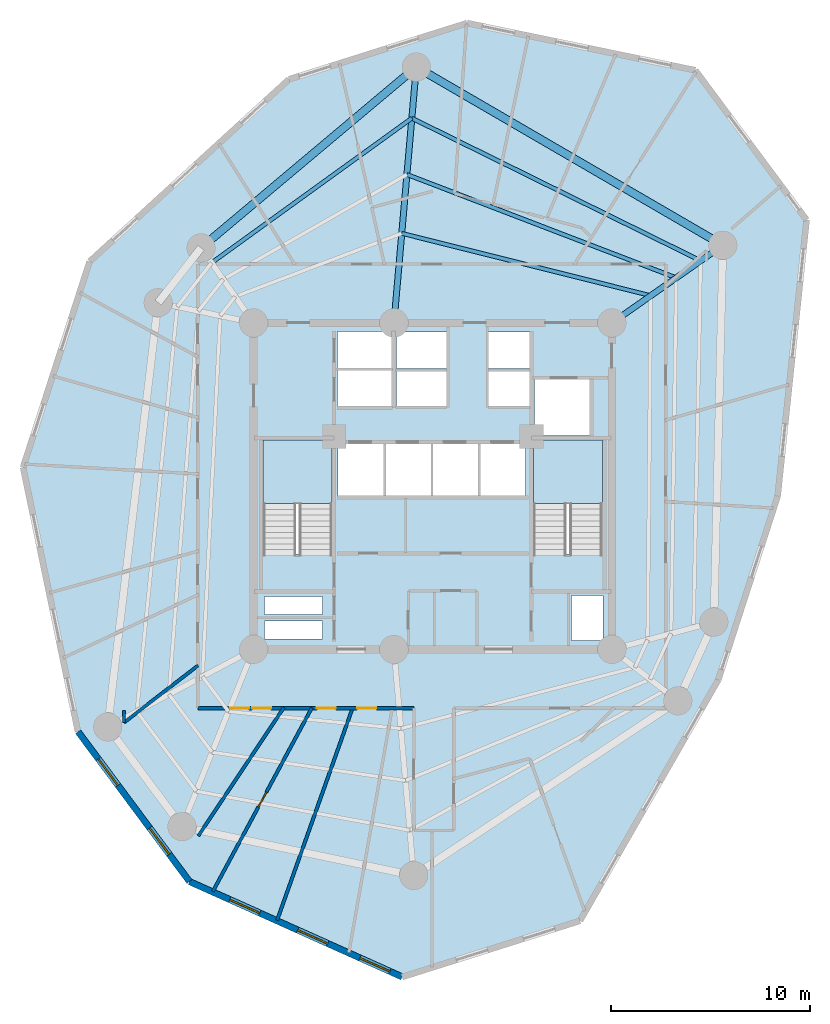
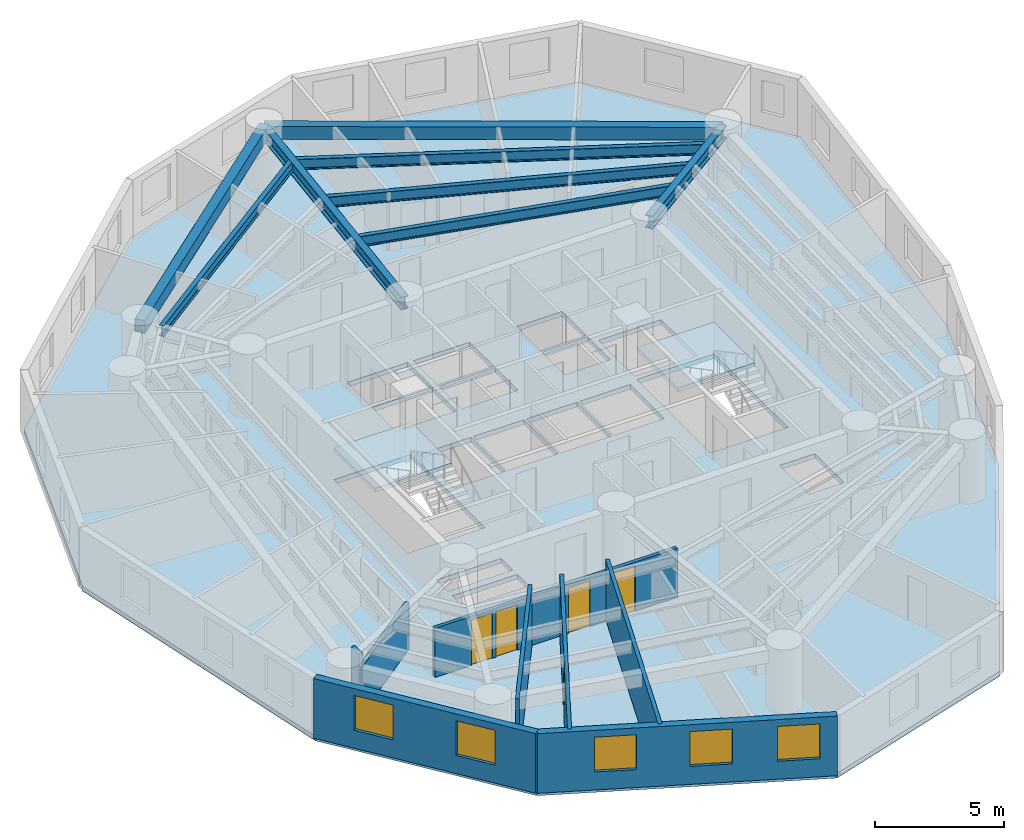
# One storey, part 2 of 8: 8 beams, 8 walls, 5 doors, 5 windows, 3 slabs, 10 openings, 2 elements without a shape of their own.
"""IFC4 building model written with IfcOpenShell, lengths in metres."""

from ifc_helpers import new_model, si_unit, direction, frame, frame_2d, origin, origin_with_axes, origin_2d, place, context, subcontext, project, spatial, polyline, rectangle, i_section, outline, extrude, source, transform, mapped, material, layer, layer_set, material_profile, profile_set, type_object, element, fill, aggregate, save


model = new_model("IFC4")

# Units and contexts
model_context = context("Model", 3, precision=1e-05, world=origin(), true_north=direction((0.0, 1.0)))
body_context = subcontext(model_context, "Body", "Model", "MODEL_VIEW")
ifc_project = project(units=[si_unit("LENGTHUNIT", "METRE"), si_unit("AREAUNIT", "SQUARE_METRE"), si_unit("VOLUMEUNIT", "CUBIC_METRE"), si_unit("PLANEANGLEUNIT", "RADIAN"), si_unit("MASSUNIT", "GRAM", prefix="KILO")], contexts=[model_context])

# Site, building, storey
site_placement = place(None, origin())
site = spatial("IfcSite", under=ifc_project, at=site_placement, CompositionType="ELEMENT")
building_placement = place(site_placement, origin())
building = spatial("IfcBuilding", under=site, at=building_placement, Name="Karkom Vertical University and Central Library", CompositionType="ELEMENT")
storey_placement = place(building_placement, frame((0.0, 0.0, 141.949951171875)))
storey = spatial("IfcBuildingStorey", under=building, at=storey_placement, Name="L40", CompositionType="ELEMENT", Elevation=141.949951171875)

# Beams
ifc_material_1 = material(Name="Precast concrete C45/55", Category="concrete")
ifc_material_profile_1 = material_profile(ifc_material_1, rectangle(XDim=0.39990234375, YDim=0.60009765625, at=origin_2d()), Name="SPB-400x600")
ifc_profile_set_1 = profile_set([ifc_material_profile_1], Name="Precast concrete C45/55")
beam_type_1 = type_object("IfcBeamType", Name="STR-BM-SP-1", PredefinedType="SPANDREL", material=ifc_profile_set_1)
shared_shape_1 = source(origin_with_axes(), body_context, "Body", "SweptSolid", [
    extrude(rectangle(XDim=0.39990234375, YDim=0.60009765625, at=origin_2d()), origin(), (0.0, 0.0, 1.0), 17.808837890625),
])
beam_1_placement = place(storey_placement, frame((43.070068359375, 38.60009765625, 2.525146484375), z_axis=(-0.864512866362, 0.502610688202, 0.0), x_axis=(-0.502610688202, -0.864512866362, 0.0)))
element("IfcBeam", 1, at=beam_1_placement, inside=storey, type_object=beam_type_1, Name="Level 40 Perimeter Spandrel Beam 02", PredefinedType="SPANDREL", context=body_context, shape_type="MappedRepresentation", body=[
    mapped(shared_shape_1, transform((0.0, 0.0, 0.0), scale=1.0)),
])
shared_shape_2 = source(origin_with_axes(), body_context, "Body", "SweptSolid", [
    extrude(rectangle(XDim=0.39990234375, YDim=0.60009765625, at=origin_2d()), origin(), (0.0, 0.0, 1.0), 14.120849609375),
])
beam_2_placement = place(storey_placement, frame((27.674072265625, 47.551025390625, 2.525146484375), z_axis=(-0.765672847866, -0.643230199883, 0.0), x_axis=(0.643230199883, -0.765672847866, 0.0)))
element("IfcBeam", 2, at=beam_2_placement, inside=storey, type_object=beam_type_1, Name="Level 40 Perimeter Spandrel Beam 03", PredefinedType="SPANDREL", context=body_context, shape_type="MappedRepresentation", body=[
    mapped(shared_shape_2, transform((0.0, 0.0, 0.0), scale=1.0)),
])
ifc_material_2 = material(Name="Steel S355", Category="steel")
ifc_material_profile_2 = material_profile(ifc_material_2, i_section(OverallWidth=0.199951171875, OverallDepth=0.5, WebThickness=0.01025390625, FlangeThickness=0.01611328125, FilletRadius=0.02099609375, at=origin_2d()), Name="IPE 500")
ifc_profile_set_2 = profile_set([ifc_material_profile_2], Name="Steel S355")
beam_type_2 = type_object("IfcBeamType", Name="STR-BM-SB-IPE500", PredefinedType="BEAM", material=ifc_profile_set_2)
shared_shape_3 = source(origin_with_axes(), body_context, "Body", "SweptSolid", [
    extrude(i_section(OverallWidth=0.199951171875, OverallDepth=0.5, WebThickness=0.01025390625, FlangeThickness=0.01611328125, FilletRadius=0.02099609375, at=origin_2d()), origin(), (0.0, 0.0, 1.0), 12.892578125),
])
beam_3_placement = place(storey_placement, frame((39.449462890625, 36.06494140625, 2.574951171875), z_axis=(-0.970023194321, 0.243012350468, 0.0), x_axis=(-0.243012350468, -0.970023194321, 0.0)))
element("IfcBeam", 3, at=beam_3_placement, inside=storey, type_object=beam_type_2, Name="Level 40 Secondary Composite Floor Beam 1.02", PredefinedType="BEAM", context=body_context, shape_type="MappedRepresentation", body=[
    mapped(shared_shape_3, transform((0.0, 0.0, 0.0), scale=1.0)),
])
shared_shape_4 = source(origin_with_axes(), body_context, "Body", "SweptSolid", [
    extrude(i_section(OverallWidth=0.199951171875, OverallDepth=0.5, WebThickness=0.01025390625, FlangeThickness=0.01611328125, FilletRadius=0.02099609375, at=origin_2d()), origin(), (0.0, 0.0, 1.0), 14.49072265625),
])
beam_4_placement = place(storey_placement, frame((40.730712890625, 36.9619140625, 2.574951171875), z_axis=(-0.93361673171, 0.35827335691, 0.0), x_axis=(-0.35827335691, -0.93361673171, 0.0)))
element("IfcBeam", 4, at=beam_4_placement, inside=storey, type_object=beam_type_2, Name="Level 40 Secondary Composite Floor Beam 2.02", PredefinedType="BEAM", context=body_context, shape_type="MappedRepresentation", body=[
    mapped(shared_shape_4, transform((0.0, 0.0, 0.0), scale=1.0)),
])
shared_shape_5 = source(origin_with_axes(), body_context, "Body", "SweptSolid", [
    extrude(i_section(OverallWidth=0.199951171875, OverallDepth=0.5, WebThickness=0.01025390625, FlangeThickness=0.01611328125, FilletRadius=0.02099609375, at=origin_2d()), origin(), (0.0, 0.0, 1.0), 16.177978515625),
])
beam_5_placement = place(storey_placement, frame((41.9560546875, 37.820068359375, 2.574951171875), z_axis=(-0.896709262653, 0.442620038263, 0.0), x_axis=(-0.442620038263, -0.896709262653, 0.0)))
element("IfcBeam", 5, at=beam_5_placement, inside=storey, type_object=beam_type_2, Name="Level 40 Secondary Composite Floor Beam 3.02", PredefinedType="BEAM", context=body_context, shape_type="MappedRepresentation", body=[
    mapped(shared_shape_5, transform((0.0, 0.0, 0.0), scale=1.0)),
])
shared_shape_6 = source(origin_with_axes(), body_context, "Body", "SweptSolid", [
    extrude(i_section(OverallWidth=0.199951171875, OverallDepth=0.5, WebThickness=0.01025390625, FlangeThickness=0.01611328125, FilletRadius=0.02099609375, at=origin_2d()), origin(), (0.0, 0.0, 1.0), 12.409423828125),
])
beam_6_placement = place(storey_placement, frame((27.44921875, 44.980712890625, 2.574951171875), z_axis=(-0.810636686292, -0.585549453793, 0.0), x_axis=(0.585549453793, -0.810636686292, 0.0)))
element("IfcBeam", 6, at=beam_6_placement, inside=storey, type_object=beam_type_2, Name="Level 40 Secondary Composite Floor Beam 3.03", PredefinedType="BEAM", context=body_context, shape_type="MappedRepresentation", body=[
    mapped(shared_shape_6, transform((0.0, 0.0, 0.0), scale=1.0)),
])
ifc_material_profile_3 = material_profile(ifc_material_2, i_section(OverallWidth=0.300048828125, OverallDepth=0.60009765625, WebThickness=0.015380859375, FlangeThickness=0.030029296875, FilletRadius=0.027099609375, at=origin_2d()), Name="HE 600 B")
ifc_profile_set_3 = profile_set([ifc_material_profile_3], Name="Steel S355")
beam_type_3 = type_object("IfcBeamType", Name="STR-BM-SB-HE600", PredefinedType="USERDEFINED", material=ifc_profile_set_3)
shared_shape_7 = source(origin_with_axes(), body_context, "Body", "SweptSolid", [
    extrude(i_section(OverallWidth=0.300048828125, OverallDepth=0.60009765625, WebThickness=0.015380859375, FlangeThickness=0.030029296875, FilletRadius=0.027099609375, at=origin_2d()), origin(), (0.0, 0.0, 1.0), 6.7998046875),
])
beam_7_placement = place(storey_placement, frame((37.5, 34.699951171875, 2.525146484375), z_axis=(0.819156008334, 0.573570775066, 0.0), x_axis=(-0.573570775066, 0.819156008334, 0.0)))
element("IfcBeam", 7, at=beam_7_placement, inside=storey, type_object=beam_type_3, Name="Level 40 Radial Frame Girder 02", ObjectType="GIRDER", PredefinedType="USERDEFINED", context=body_context, shape_type="MappedRepresentation", body=[
    mapped(shared_shape_7, transform((0.0, 0.0, 0.0), scale=1.0)),
])
shared_shape_8 = source(origin_with_axes(), body_context, "Body", "SweptSolid", [
    extrude(i_section(OverallWidth=0.300048828125, OverallDepth=0.60009765625, WebThickness=0.015380859375, FlangeThickness=0.030029296875, FilletRadius=0.027099609375, at=origin_2d()), origin(), (0.0, 0.0, 1.0), 12.900146484375),
])
beam_8_placement = place(storey_placement, frame((26.550048828125, 34.699951171875, 2.525146484375), z_axis=(0.087132673751, 0.996196716098, 0.0), x_axis=(-0.996196716098, 0.087132673751, 0.0)))
element("IfcBeam", 8, at=beam_8_placement, inside=storey, type_object=beam_type_3, Name="Level 40 Radial Frame Girder 03", ObjectType="GIRDER", PredefinedType="USERDEFINED", context=body_context, shape_type="MappedRepresentation", body=[
    mapped(shared_shape_8, transform((0.0, 0.0, 0.0), scale=1.0)),
])

# Stair, slab
ifc_material_3 = material(Name="Concrete C45/55", Category="concrete")
stair_type = type_object("IfcStairType", Name="INT-STR-ST-MAIN", PredefinedType="HALF_TURN_STAIR", material=ifc_material_3)
stair_1_placement = place(storey_placement, origin())
stair_1 = element("IfcStair", 9, at=stair_1_placement, inside=storey, type_object=stair_type, Name="Level 40 Tower Protected Exit Stair ST-1", PredefinedType="HALF_TURN_STAIR")
ifc_layer_1 = layer(ifc_material_3, 0.199951171875)
ifc_layer_set_1 = layer_set([ifc_layer_1], Name="Concrete C45/55")
slab_type_1 = type_object("IfcSlabType", Name="INT-SLB-LANDING", PredefinedType="LANDING", material=ifc_layer_set_1)
slab_1_placement = place(storey_placement, frame((0.0, 0.0, 1.324951171875)))
slab_1 = element("IfcSlab", 10, at=slab_1_placement, type_object=slab_type_1, Name="ST-1 landing 1", PredefinedType="LANDING", context=body_context, shape_type="SweptSolid", body=[
    extrude(outline(polyline([(23.43994140625, 25.6298828125), (23.43994140625, 28.820068359375), (19.97998046875, 28.820068359375), (19.97998046875, 25.6298828125), (23.43994140625, 25.6298828125)])), origin(), (0.0, 0.0, 1.0), 0.2001953125),
])
aggregate(stair_1, [slab_1])

stair_2_placement = place(storey_placement, origin())
stair_2 = element("IfcStair", 11, at=stair_2_placement, inside=storey, type_object=stair_type, Name="Level 40 Tower Protected Exit Stair ST-2", PredefinedType="HALF_TURN_STAIR")
slab_2_placement = place(storey_placement, frame((0.0, 0.0, 1.324951171875)))
slab_2 = element("IfcSlab", 12, at=slab_2_placement, type_object=slab_type_1, Name="ST-2 landing 1", PredefinedType="LANDING", context=body_context, shape_type="SweptSolid", body=[
    extrude(outline(polyline([(37.02001953125, 25.6298828125), (37.02001953125, 28.820068359375), (33.56005859375, 28.820068359375), (33.56005859375, 25.6298828125), (37.02001953125, 25.6298828125)])), origin(), (0.0, 0.0, 1.0), 0.2001953125),
])
aggregate(stair_2, [slab_2])

# Slab
ifc_layer_2 = layer(ifc_material_3, 0.22509765625)
ifc_layer_set_2 = layer_set([ifc_layer_2], Name="Concrete C45/55")
slab_type_2 = type_object("IfcSlabType", Name="STR-SLB-FLR-225", PredefinedType="FLOOR", material=ifc_layer_set_2)
slab_3_placement = place(storey_placement, frame((0.0, 0.0, -0.224853515625)))
element("IfcSlab", 13, at=slab_3_placement, inside=storey, type_object=slab_type_2, Name="Level 40 Tower Structural Floor Slab", PredefinedType="FLOOR", context=body_context, shape_type="SweptSolid", body=[
    extrude(outline(polyline([(11.26806640625, 37.779541015625), (7.926513671875, 27.44580078125), (10.68310546875, 14.16796875), (16.28271484375, 6.6376953125), (26.959716796875, 1.85009765625), (35.888916015625, 4.669677734375), (42.8359375, 16.7685546875), (45.8193359375, 25.994873046875), (47.272216796875, 39.870361328125), (41.6845703125, 47.384521484375), (30.225830078125, 49.7548828125), (21.27734375, 46.929443359375), (11.26806640625, 37.779541015625)]), holes=[polyline([(19.97998046875, 23.0849609375), (23.43994140625, 23.0849609375), (23.43994140625, 28.820068359375), (19.97998046875, 28.820068359375), (19.97998046875, 23.0849609375)]), polyline([(33.56005859375, 23.0849609375), (37.02001953125, 23.0849609375), (37.02001953125, 28.820068359375), (33.56005859375, 28.820068359375), (33.56005859375, 23.0849609375)]), polyline([(23.75, 26.0), (26.030029296875, 26.0), (26.030029296875, 28.64990234375), (23.75, 28.64990234375), (23.75, 26.0)]), polyline([(26.1298828125, 26.0), (28.409912109375, 26.0), (28.409912109375, 28.64990234375), (26.1298828125, 28.64990234375), (26.1298828125, 26.0)]), polyline([(28.510009765625, 26.0), (30.7900390625, 26.0), (30.7900390625, 28.64990234375), (28.510009765625, 28.64990234375), (28.510009765625, 26.0)]), polyline([(30.889892578125, 26.0), (33.169921875, 26.0), (33.169921875, 28.64990234375), (30.889892578125, 28.64990234375), (30.889892578125, 26.0)]), polyline([(26.679931640625, 30.5), (29.199951171875, 30.5), (29.199951171875, 32.25), (26.679931640625, 32.25), (26.679931640625, 30.5)]), polyline([(26.679931640625, 32.39990234375), (29.199951171875, 32.39990234375), (29.199951171875, 34.25), (26.679931640625, 34.25), (26.679931640625, 32.39990234375)]), polyline([(31.300048828125, 30.5), (33.35009765625, 30.5), (33.35009765625, 32.25), (31.300048828125, 32.25), (31.300048828125, 30.5)]), polyline([(31.300048828125, 32.39990234375), (33.35009765625, 32.39990234375), (33.35009765625, 34.25), (31.300048828125, 34.25), (31.300048828125, 32.39990234375)]), polyline([(23.719970703125, 30.47998046875), (26.429931640625, 30.47998046875), (26.429931640625, 32.320068359375), (23.719970703125, 32.320068359375), (23.719970703125, 30.47998046875)]), polyline([(23.719970703125, 32.419921875), (26.429931640625, 32.419921875), (26.429931640625, 34.260009765625), (23.719970703125, 34.260009765625), (23.719970703125, 32.419921875)]), polyline([(33.60009765625, 29.050048828125), (36.39990234375, 29.050048828125), (36.39990234375, 31.85009765625), (33.60009765625, 31.85009765625), (33.60009765625, 29.050048828125)]), polyline([(20.050048828125, 18.820068359375), (22.949951171875, 18.820068359375), (22.949951171875, 19.719970703125), (20.050048828125, 19.719970703125), (20.050048828125, 18.820068359375)]), polyline([(20.050048828125, 20.06005859375), (22.949951171875, 20.06005859375), (22.949951171875, 20.9599609375), (20.050048828125, 20.9599609375), (20.050048828125, 20.06005859375)]), polyline([(35.4599609375, 18.760009765625), (37.0400390625, 18.760009765625), (37.0400390625, 21.010009765625), (35.4599609375, 21.010009765625), (35.4599609375, 18.760009765625)])]), origin(), (0.0, 0.0, 1.0), 0.224853515625),
])

# Wall, openings, windows
ifc_material_4 = material(Name="Brick-faced precast concrete C45/55", Category="masonry")
ifc_layer_3 = layer(ifc_material_4, 0.320068359375)
ifc_layer_set_3 = layer_set([ifc_layer_3], Name="Brick-faced precast concrete C45/55")
wall_type_1 = type_object("IfcWallType", Name="ENV-WL-BRK-320", PredefinedType="SOLIDWALL", material=ifc_layer_set_3)
wall_1_placement = place(storey_placement, frame((10.68310546875, 14.16796875, 0.0), z_axis=(0.0, 0.0, 1.0), x_axis=(0.596714794235, -0.80245339699, 0.0)))
wall_1 = element("IfcWall", 14, at=wall_1_placement, inside=storey, type_object=wall_type_1, Name="Level 40 Brick-Faced Precast Facade Wall 03", PredefinedType="SOLIDWALL", context=body_context, shape_type="SweptSolid", body=[
    extrude(rectangle(XDim=9.384033203125, YDim=0.320068359375, at=frame_2d((4.69189453125, 0.0))), origin(), (0.0, 0.0, 1.0), 2.824951171875),
])
opening_1_placement = place(wall_1_placement, frame((1.7109375, 0.0, 0.85009765625)))
opening_1 = element("IfcOpeningElement", 15, at=opening_1_placement, cuts=wall_1, Name="Opening WN-06", PredefinedType="OPENING", context=body_context, shape_type="SweptSolid", body=[
    extrude(rectangle(XDim=1.64990234375, YDim=1.64990234375, at=frame_2d((0.824951171875, 0.824951171875))), frame((0.0, 0.169921875, 0.0), z_axis=(0.0, -1.0, 0.0), x_axis=(1.0, 0.0, 0.0)), (0.0, 0.0, 1.0), 0.340087890625),
])
opening_2_placement = place(wall_1_placement, frame((6.02294921875, 0.0, 0.85009765625)))
opening_2 = element("IfcOpeningElement", 16, at=opening_2_placement, cuts=wall_1, Name="Opening WN-06", PredefinedType="OPENING", context=body_context, shape_type="SweptSolid", body=[
    extrude(rectangle(XDim=1.64990234375, YDim=1.64990234375, at=frame_2d((0.824951171875, 0.824951171875))), frame((0.0, 0.169921875, 0.0), z_axis=(0.0, -1.0, 0.0), x_axis=(1.0, 0.0, 0.0)), (0.0, 0.0, 1.0), 0.340087890625),
])
ifc_material_5 = material(Name="Aluminium thermal-break frame with solar-control IGU", Category="aluminium")
window_type = type_object("IfcWindowType", Name="ENV-WIN-WN-06", PartitioningType="SINGLE_PANEL", PredefinedType="WINDOW", material=ifc_material_5)
shared_shape_9 = source(origin_with_axes(), body_context, "Body", "SweptSolid", [
    extrude(rectangle(XDim=1.64990234375, YDim=1.64990234375, at=frame_2d((0.824951171875, 0.824951171875))), frame((0.0, 0.030029296875, 0.0), z_axis=(0.0, -1.0, 0.0), x_axis=(1.0, 0.0, 0.0)), (0.0, 0.0, 1.0), 0.06005859375),
])
window_1_placement = place(opening_1_placement, origin())
window_1 = element("IfcWindow", 17, at=window_1_placement, inside=storey, type_object=window_type, Name="Level 40 Punched Window 3.1", OverallHeight=1.64990234375, OverallWidth=1.64990234375, PartitioningType="SINGLE_PANEL", PredefinedType="WINDOW", context=body_context, shape_type="MappedRepresentation", body=[
    mapped(shared_shape_9, transform((0.0, 0.0, 0.0), scale=1.0)),
])
fill(opening_1, window_1)
window_2_placement = place(opening_2_placement, origin())
window_2 = element("IfcWindow", 18, at=window_2_placement, inside=storey, type_object=window_type, Name="Level 40 Punched Window 3.2", OverallHeight=1.64990234375, OverallWidth=1.64990234375, PartitioningType="SINGLE_PANEL", PredefinedType="WINDOW", context=body_context, shape_type="MappedRepresentation", body=[
    mapped(shared_shape_9, transform((0.0, 0.0, 0.0), scale=1.0)),
])
fill(opening_2, window_2)

wall_2_placement = place(storey_placement, frame((16.28271484375, 6.6376953125, 0.0), z_axis=(0.0, 0.0, 1.0), x_axis=(0.912466082441, -0.409152353524, 0.0)))
wall_2 = element("IfcWall", 19, at=wall_2_placement, inside=storey, type_object=wall_type_1, Name="Level 40 Brick-Faced Precast Facade Wall 04", PredefinedType="SOLIDWALL", context=body_context, shape_type="SweptSolid", body=[
    extrude(rectangle(XDim=11.701171875, YDim=0.320068359375, at=frame_2d((5.8505859375, 0.0))), origin(), (0.0, 0.0, 1.0), 2.824951171875),
])
opening_3_placement = place(wall_2_placement, frame((2.214599609375, 0.0, 0.85009765625)))
opening_3 = element("IfcOpeningElement", 20, at=opening_3_placement, cuts=wall_2, Name="Opening WN-06", PredefinedType="OPENING", context=body_context, shape_type="SweptSolid", body=[
    extrude(rectangle(XDim=1.64990234375, YDim=1.64990234375, at=frame_2d((0.824951171875, 0.824951171875))), frame((0.0, 0.169921875, 0.0), z_axis=(0.0, -1.0, 0.0), x_axis=(1.0, 0.0, 0.0)), (0.0, 0.0, 1.0), 0.340087890625),
])
opening_4_placement = place(wall_2_placement, frame((5.9541015625, 0.0, 0.85009765625)))
opening_4 = element("IfcOpeningElement", 21, at=opening_4_placement, cuts=wall_2, Name="Opening WN-06", PredefinedType="OPENING", context=body_context, shape_type="SweptSolid", body=[
    extrude(rectangle(XDim=1.64990234375, YDim=1.64990234375, at=frame_2d((0.824951171875, 0.824951171875))), frame((0.0, 0.169921875, 0.0), z_axis=(0.0, -1.0, 0.0), x_axis=(1.0, 0.0, 0.0)), (0.0, 0.0, 1.0), 0.340087890625),
])
opening_5_placement = place(wall_2_placement, frame((9.37158203125, 0.0, 0.85009765625)))
opening_5 = element("IfcOpeningElement", 22, at=opening_5_placement, cuts=wall_2, Name="Opening WN-06", PredefinedType="OPENING", context=body_context, shape_type="SweptSolid", body=[
    extrude(rectangle(XDim=1.64990234375, YDim=1.64990234375, at=frame_2d((0.824951171875, 0.824951171875))), frame((0.0, 0.169921875, 0.0), z_axis=(0.0, -1.0, 0.0), x_axis=(1.0, 0.0, 0.0)), (0.0, 0.0, 1.0), 0.340087890625),
])
window_3_placement = place(opening_3_placement, origin())
window_3 = element("IfcWindow", 23, at=window_3_placement, inside=storey, type_object=window_type, Name="Level 40 Punched Window 4.1", OverallHeight=1.64990234375, OverallWidth=1.64990234375, PartitioningType="SINGLE_PANEL", PredefinedType="WINDOW", context=body_context, shape_type="MappedRepresentation", body=[
    mapped(shared_shape_9, transform((0.0, 0.0, 0.0), scale=1.0)),
])
fill(opening_3, window_3)
window_4_placement = place(opening_4_placement, origin())
window_4 = element("IfcWindow", 24, at=window_4_placement, inside=storey, type_object=window_type, Name="Level 40 Punched Window 4.2", OverallHeight=1.64990234375, OverallWidth=1.64990234375, PartitioningType="SINGLE_PANEL", PredefinedType="WINDOW", context=body_context, shape_type="MappedRepresentation", body=[
    mapped(shared_shape_9, transform((0.0, 0.0, 0.0), scale=1.0)),
])
fill(opening_4, window_4)
window_5_placement = place(opening_5_placement, origin())
window_5 = element("IfcWindow", 25, at=window_5_placement, inside=storey, type_object=window_type, Name="Level 40 Punched Window 4.3", OverallHeight=1.64990234375, OverallWidth=1.64990234375, PartitioningType="SINGLE_PANEL", PredefinedType="WINDOW", context=body_context, shape_type="MappedRepresentation", body=[
    mapped(shared_shape_9, transform((0.0, 0.0, 0.0), scale=1.0)),
])
fill(opening_5, window_5)

# Wall
ifc_material_6 = material(Name="Insulated metal-stud drywall 160mm", Category="gypsum")
ifc_layer_4 = layer(ifc_material_6, 0.159912109375)
ifc_layer_set_4 = layer_set([ifc_layer_4], Name="Insulated metal-stud drywall 160mm")
wall_type_2 = type_object("IfcWallType", Name="INT-WL-COR-160", PredefinedType="PARTITIONING", material=ifc_layer_set_4)
wall_3_placement = place(storey_placement, frame((24.481201171875, 15.37841796875, 0.0), z_axis=(0.0, 0.0, 1.0), x_axis=(-0.335074645571, -0.942191584496, 0.0)))
element("IfcWall", 26, at=wall_3_placement, inside=storey, type_object=wall_type_2, Name="Level 40 Interior Partition Wall L40-PW-008", PredefinedType="PARTITIONING", context=body_context, shape_type="SweptSolid", body=[
    extrude(rectangle(XDim=11.3408203125, YDim=0.159912109375, at=frame_2d((5.67041015625, 0.0))), origin(), (0.0, 0.0, 1.0), 2.824951171875),
])

# Wall, openings, doors
wall_4_placement = place(storey_placement, frame((27.550048828125, 15.35009765625, 0.0), z_axis=(0.0, 0.0, 1.0), x_axis=(-1.0, 0.0, 0.0)))
wall_4 = element("IfcWall", 27, at=wall_4_placement, inside=storey, type_object=wall_type_2, Name="Level 40 Interior Partition Wall L40-CORW-CW-001", PredefinedType="PARTITIONING", context=body_context, shape_type="SweptSolid", body=[
    extrude(rectangle(XDim=10.85009765625, YDim=0.159912109375, at=frame_2d((5.425048828125, 0.0))), origin(), (0.0, 0.0, 1.0), 2.324951171875),
])
opening_6_placement = place(wall_4_placement, frame((7.16748046875, 0.0, 0.0)))
opening_6 = element("IfcOpeningElement", 28, at=opening_6_placement, cuts=wall_4, Name="Opening D-RM1", PredefinedType="OPENING", context=body_context, shape_type="SweptSolid", body=[
    extrude(rectangle(XDim=0.949951171875, YDim=2.14990234375, at=frame_2d((0.47509765625, 1.074951171875))), frame((0.0, 0.08984375, 0.0), z_axis=(0.0, -1.0, 0.0), x_axis=(1.0, 0.0, 0.0)), (0.0, 0.0, 1.0), 0.179931640625),
])
opening_7_placement = place(wall_4_placement, frame((3.909912109375, 0.0, 0.0)))
opening_7 = element("IfcOpeningElement", 29, at=opening_7_placement, cuts=wall_4, Name="Opening FD-RM2", PredefinedType="OPENING", context=body_context, shape_type="SweptSolid", body=[
    extrude(rectangle(XDim=0.9599609375, YDim=2.14990234375, at=frame_2d((0.47998046875, 1.074951171875))), frame((0.0, 0.08984375, 0.0), z_axis=(0.0, -1.0, 0.0), x_axis=(1.0, 0.0, 0.0)), (0.0, 0.0, 1.0), 0.179931640625),
])
opening_8_placement = place(wall_4_placement, frame((1.882568359375, 0.0, 0.0)))
opening_8 = element("IfcOpeningElement", 30, at=opening_8_placement, cuts=wall_4, Name="Opening FD-RM2", PredefinedType="OPENING", context=body_context, shape_type="SweptSolid", body=[
    extrude(rectangle(XDim=0.9599609375, YDim=2.14990234375, at=frame_2d((0.47998046875, 1.074951171875))), frame((0.0, 0.08984375, 0.0), z_axis=(0.0, -1.0, 0.0), x_axis=(1.0, 0.0, 0.0)), (0.0, 0.0, 1.0), 0.179931640625),
])
opening_9_placement = place(wall_4_placement, frame((8.277587890625, 0.0, 0.0)))
opening_9 = element("IfcOpeningElement", 31, at=opening_9_placement, cuts=wall_4, Name="Opening D-RM1", PredefinedType="OPENING", context=body_context, shape_type="SweptSolid", body=[
    extrude(rectangle(XDim=0.949951171875, YDim=2.14990234375, at=frame_2d((0.47509765625, 1.074951171875))), frame((0.0, 0.08984375, 0.0), z_axis=(0.0, -1.0, 0.0), x_axis=(1.0, 0.0, 0.0)), (0.0, 0.0, 1.0), 0.179931640625),
])
ifc_material_7 = material(Name="Fire-rated oak veneer door", Category="wood")
door_type_1 = type_object("IfcDoorType", Name="INT-DR-FRM2", OperationType="NOTDEFINED", PredefinedType="DOOR", material=ifc_material_7)
shared_shape_10 = source(origin_with_axes(), body_context, "Body", "SweptSolid", [
    extrude(rectangle(XDim=0.9599609375, YDim=2.14990234375, at=frame_2d((0.47998046875, 1.074951171875))), frame((0.0, 0.02490234375, 0.0), z_axis=(0.0, -1.0, 0.0), x_axis=(1.0, 0.0, 0.0)), (0.0, 0.0, 1.0), 0.050048828125),
])
door_1_placement = place(opening_7_placement, origin())
door_1 = element("IfcDoor", 32, at=door_1_placement, inside=storey, type_object=door_type_1, Name="Level 40 Room Entry Door 040", OperationType="SINGLE_SWING_LEFT", OverallHeight=2.14990234375, OverallWidth=0.9599609375, PredefinedType="DOOR", context=body_context, shape_type="MappedRepresentation", body=[
    mapped(shared_shape_10, transform((0.0, 0.0, 0.0), scale=1.0)),
])
fill(opening_7, door_1)
door_2_placement = place(opening_8_placement, origin())
door_2 = element("IfcDoor", 33, at=door_2_placement, inside=storey, type_object=door_type_1, Name="Level 40 Room Entry Door 050", OperationType="SINGLE_SWING_RIGHT", OverallHeight=2.14990234375, OverallWidth=0.9599609375, PredefinedType="DOOR", context=body_context, shape_type="MappedRepresentation", body=[
    mapped(shared_shape_10, transform((0.0, 0.0, 0.0), scale=1.0)),
])
fill(opening_8, door_2)
ifc_material_8 = material(Name="Solid-core oak veneer door", Category="wood")
door_type_2 = type_object("IfcDoorType", Name="INT-DR-RM1", OperationType="NOTDEFINED", PredefinedType="DOOR", material=ifc_material_8)
shared_shape_11 = source(origin_with_axes(), body_context, "Body", "SweptSolid", [
    extrude(rectangle(XDim=0.949951171875, YDim=2.14990234375, at=frame_2d((0.47509765625, 1.074951171875))), frame((0.0, 0.02490234375, 0.0), z_axis=(0.0, -1.0, 0.0), x_axis=(1.0, 0.0, 0.0)), (0.0, 0.0, 1.0), 0.050048828125),
])
door_3_placement = place(opening_6_placement, origin())
door_3 = element("IfcDoor", 34, at=door_3_placement, inside=storey, type_object=door_type_2, Name="Level 40 Room Entry Door 030", OperationType="SINGLE_SWING_RIGHT", OverallHeight=2.14990234375, OverallWidth=0.949951171875, PredefinedType="DOOR", context=body_context, shape_type="MappedRepresentation", body=[
    mapped(shared_shape_11, transform((0.0, 0.0, 0.0), scale=1.0)),
])
fill(opening_6, door_3)
door_4_placement = place(opening_9_placement, origin())
door_4 = element("IfcDoor", 35, at=door_4_placement, inside=storey, type_object=door_type_2, Name="Level 40 Room Entry Door 060", OperationType="SINGLE_SWING_LEFT", OverallHeight=2.14990234375, OverallWidth=0.949951171875, PredefinedType="DOOR", context=body_context, shape_type="MappedRepresentation", body=[
    mapped(shared_shape_11, transform((0.0, 0.0, 0.0), scale=1.0)),
])
fill(opening_9, door_4)

# Wall, opening, door
wall_5_placement = place(storey_placement, frame((22.432861328125, 15.37646484375, 0.0), z_axis=(0.0, 0.0, 1.0), x_axis=(-0.474668589789, -0.880164603849, 0.0)))
wall_5 = element("IfcWall", 36, at=wall_5_placement, inside=storey, type_object=wall_type_2, Name="Level 40 Interior Partition Wall L40-PW-007", PredefinedType="PARTITIONING", context=body_context, shape_type="SweptSolid", body=[
    extrude(rectangle(XDim=10.492919921875, YDim=0.159912109375, at=frame_2d((5.24658203125, 0.0))), origin(), (0.0, 0.0, 1.0), 2.824951171875),
])
opening_10_placement = place(wall_5_placement, frame((4.81640625, 0.0, 0.0)))
opening_10 = element("IfcOpeningElement", 37, at=opening_10_placement, cuts=wall_5, Name="Opening FD-BTH2", PredefinedType="OPENING", context=body_context, shape_type="SweptSolid", body=[
    extrude(rectangle(XDim=0.860107421875, YDim=2.0400390625, at=frame_2d((0.43017578125, 1.02001953125))), frame((0.0, 0.08984375, 0.0), z_axis=(0.0, -1.0, 0.0), x_axis=(1.0, 0.0, 0.0)), (0.0, 0.0, 1.0), 0.179931640625),
])
ifc_material_9 = material(Name="Fire-rated moisture-resistant oak door", Category="wood")
door_type_3 = type_object("IfcDoorType", Name="INT-DR-FBTH2", OperationType="NOTDEFINED", PredefinedType="DOOR", material=ifc_material_9)
shared_shape_12 = source(origin_with_axes(), body_context, "Body", "SweptSolid", [
    extrude(rectangle(XDim=0.860107421875, YDim=2.0400390625, at=frame_2d((0.43017578125, 1.02001953125))), frame((0.0, 0.02490234375, 0.0), z_axis=(0.0, -1.0, 0.0), x_axis=(1.0, 0.0, 0.0)), (0.0, 0.0, 1.0), 0.050048828125),
])
door_5_placement = place(opening_10_placement, origin())
door_5 = element("IfcDoor", 38, at=door_5_placement, inside=storey, type_object=door_type_3, Name="Level 40 University Seminar Classroom Entry Door", OperationType="SINGLE_SWING_LEFT", OverallHeight=2.0400390625, OverallWidth=0.860107421875, PredefinedType="DOOR", context=body_context, shape_type="MappedRepresentation", body=[
    mapped(shared_shape_12, transform((0.0, 0.0, 0.0), scale=1.0)),
])
fill(opening_10, door_5)

# Walls
wall_6_placement = place(storey_placement, frame((21.02392578125, 15.387451171875, 0.0), z_axis=(0.0, 0.0, 1.0), x_axis=(-0.554453162651, -0.832214930427, 0.0)))
element("IfcWall", 39, at=wall_6_placement, inside=storey, type_object=wall_type_2, Name="Level 40 Interior Partition Wall L40-PW-006", PredefinedType="PARTITIONING", context=body_context, shape_type="SweptSolid", body=[
    extrude(rectangle(XDim=7.755126953125, YDim=0.159912109375, at=frame_2d((3.87744140625, 0.0))), origin(), (0.0, 0.0, 1.0), 2.824951171875),
])
wall_7_placement = place(storey_placement, frame((16.723876953125, 17.500732421875, 0.0), z_axis=(0.0, 0.0, 1.0), x_axis=(-0.792109367108, -0.610379185867, 0.0)))
element("IfcWall", 40, at=wall_7_placement, inside=storey, type_object=wall_type_2, Name="Level 40 Interior Partition Wall L40-PW-004", PredefinedType="PARTITIONING", context=body_context, shape_type="SweptSolid", body=[
    extrude(rectangle(XDim=4.71142578125, YDim=0.159912109375, at=frame_2d((2.355712890625, 0.0))), origin(), (0.0, 0.0, 1.0), 2.22509765625),
])
wall_8_placement = place(storey_placement, frame((12.991943359375, 14.625, 0.0), z_axis=(0.0, 0.0, 1.0), x_axis=(0.0, 1.0, 0.0)))
element("IfcWall", 41, at=wall_8_placement, inside=storey, type_object=wall_type_2, Name="Level 40 Interior Partition Wall L40-PW-005", PredefinedType="PARTITIONING", context=body_context, shape_type="SweptSolid", body=[
    extrude(rectangle(XDim=0.597900390625, YDim=0.159912109375, at=frame_2d((0.298828125, 0.0))), origin(), (0.0, 0.0, 1.0), 2.824951171875),
])

save(model, "model.ifc")
